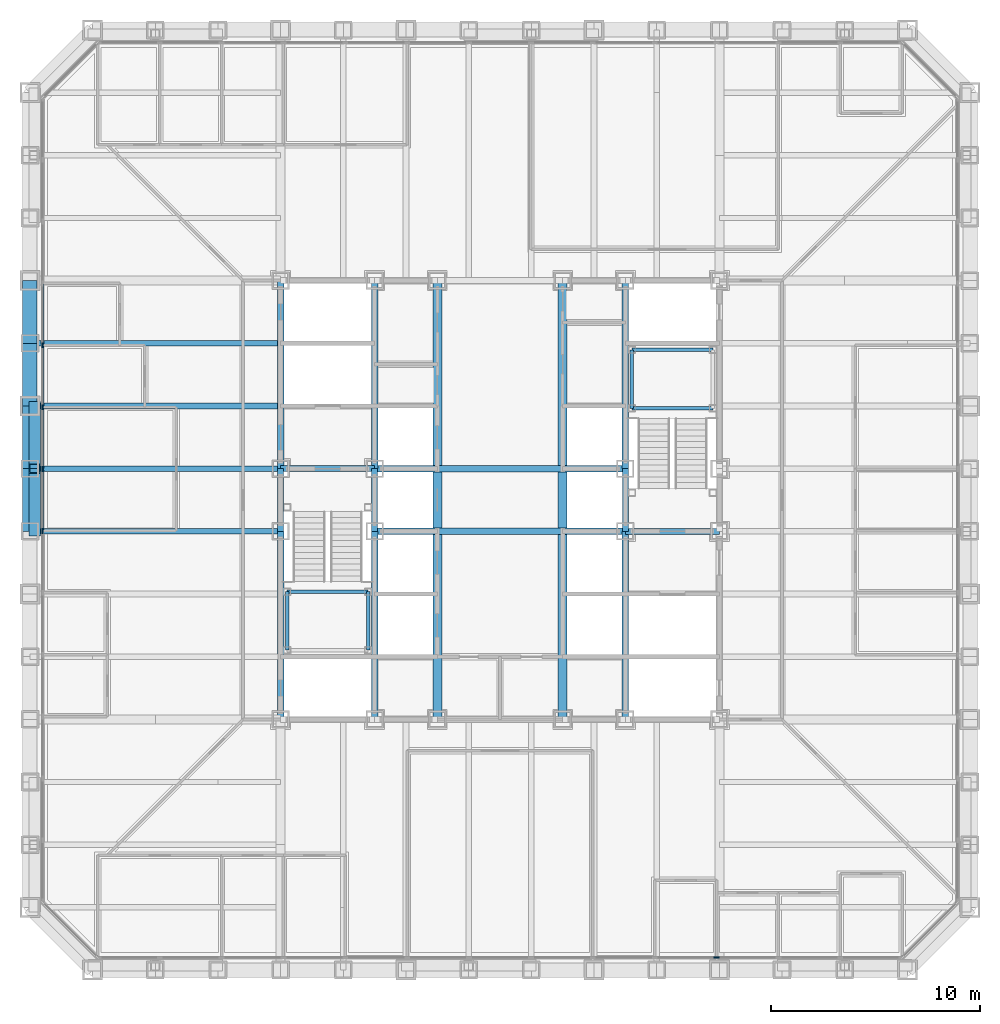
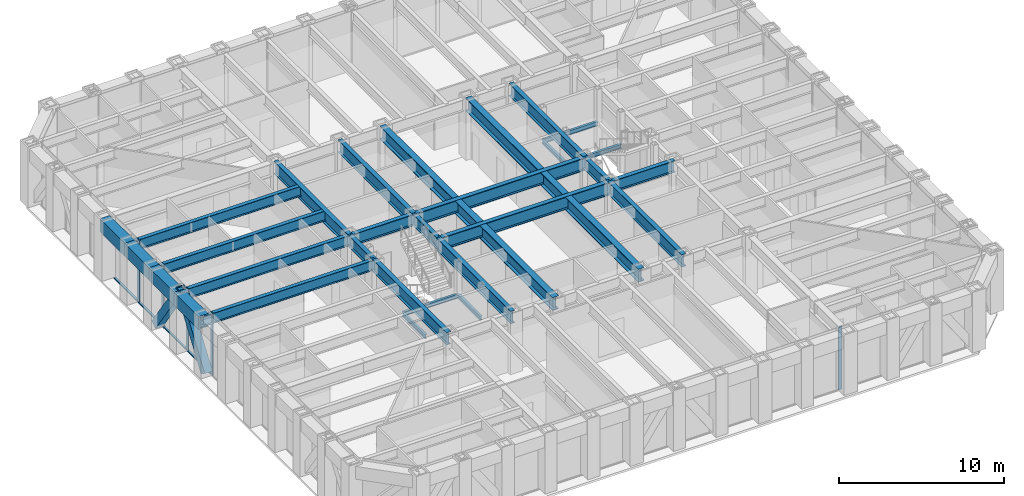
# One storey, part 3 of 17: 33 beams, 11 members, 2 elements without a shape of their own.
"""IFC4 building model written with IfcOpenShell, lengths in metres."""

from ifc_helpers import new_model, si_unit, direction, frame, origin, origin_2d, place, context, subcontext, project, spatial, rectangle, hollow_rectangle, i_section, extrude, material, layer, layer_set, material_profile, profile_set, type_object, element, aggregate, save


model = new_model("IFC4")

# Units and contexts
model_context = context("Model", 3, precision=1e-05, world=origin(), true_north=direction((0.0, 1.0)))
body_context = subcontext(model_context, "Body", "Model", "MODEL_VIEW")
ifc_project = project(units=[si_unit("LENGTHUNIT", "METRE"), si_unit("AREAUNIT", "SQUARE_METRE"), si_unit("VOLUMEUNIT", "CUBIC_METRE"), si_unit("PLANEANGLEUNIT", "RADIAN"), si_unit("MASSUNIT", "GRAM", prefix="KILO")], contexts=[model_context])

# Site, building, storey
site_placement = place(None, origin())
site = spatial("IfcSite", under=ifc_project, at=site_placement, CompositionType="ELEMENT")
building_placement = place(site_placement, origin())
building = spatial("IfcBuilding", under=site, at=building_placement, Name="Chuquiago Exchange Tower", CompositionType="ELEMENT")
storey_placement = place(building_placement, frame((0.0, 0.0, 91.800048828125)))
storey = spatial("IfcBuildingStorey", under=building, at=storey_placement, Name="L19", CompositionType="ELEMENT", Elevation=91.800048828125)

# Beams
ifc_material_1 = material(Name="Steel ASTM A992", Category="steel")
ifc_material_profile_1 = material_profile(ifc_material_1, i_section(OverallWidth=0.307373046875, OverallDepth=0.927001953125, WebThickness=0.01953125, FlangeThickness=0.031982421875, at=origin_2d()), Name="W36X194")
ifc_profile_set_1 = profile_set([ifc_material_profile_1], Name="Steel ASTM A992")
beam_type_1 = type_object("IfcBeamType", Name="B10 W36X194", PredefinedType="BEAM", material=ifc_profile_set_1)
for number, where, z_axis, x_axis, name in (
    (1, (12.0, 12.0, 3.87646484375), (0.0, 1.0, 0.0), (-1.0, 0.0, 0.0), "CB-L20-12_12-12_21"),
    (2, (12.0, 24.0, 3.87646484375), (0.0, 1.0, 0.0), (-1.0, 0.0, 0.0), "CB-L20-12_24-12_33"),
    (3, (16.5, 12.0, 3.87646484375), (0.0, 1.0, 0.0), (-1.0, 0.0, 0.0), "CB-L20-16.5_12-16.5_21"),
    (4, (16.5, 24.0, 3.87646484375), (0.0, 1.0, 0.0), (-1.0, 0.0, 0.0), "CB-L20-16.5_24-16.5_33"),
    (5, (28.5, 12.0, 3.87646484375), (0.0, 1.0, 0.0), (-1.0, 0.0, 0.0), "CB-L20-28.5_12-28.5_21"),
    (6, (28.5, 24.0, 3.87646484375), (0.0, 1.0, 0.0), (-1.0, 0.0, 0.0), "CB-L20-28.5_24-28.5_33"),
):
    element("IfcBeam", number, at=place(storey_placement, frame(where, z_axis=z_axis, x_axis=x_axis)), inside=storey, type_object=beam_type_1, Name=name, PredefinedType="BEAM", context=body_context, shape_type="SweptSolid", body=[
        extrude(i_section(OverallWidth=0.307373046875, OverallDepth=0.927001953125, WebThickness=0.01953125, FlangeThickness=0.031982421875, at=origin_2d()), origin(), (0.0, 0.0, 1.0), 9.0),
    ])
ifc_material_2 = material(Name="Steel ASTM A992", Category="steel")
ifc_material_profile_2 = material_profile(ifc_material_2, i_section(OverallWidth=0.309814453125, OverallDepth=0.949951171875, WebThickness=0.0244140625, FlangeThickness=0.0439453125, at=origin_2d()), Name="W36X256")
ifc_profile_set_2 = profile_set([ifc_material_profile_2], Name="Steel ASTM A992")
beam_type_2 = type_object("IfcBeamType", Name="B11 W36X256", PredefinedType="BEAM", material=ifc_profile_set_2)
for number, where, z_axis, x_axis, name in (
    (7, (16.5, 21.0, 3.864990234375), (1.0, 0.0, 0.0), (0.0, 1.0, 0.0), "CB-L20-16.5_21-28.5_21"),
    (8, (16.5, 24.0, 3.864990234375), (1.0, 0.0, 0.0), (0.0, 1.0, 0.0), "CB-L20-16.5_24-28.5_24"),
):
    element("IfcBeam", number, at=place(storey_placement, frame(where, z_axis=z_axis, x_axis=x_axis)), inside=storey, type_object=beam_type_2, Name=name, PredefinedType="BEAM", context=body_context, shape_type="SweptSolid", body=[
        extrude(i_section(OverallWidth=0.309814453125, OverallDepth=0.949951171875, WebThickness=0.0244140625, FlangeThickness=0.0439453125, at=origin_2d()), origin(), (0.0, 0.0, 1.0), 12.0),
    ])
ifc_material_3 = material(Name="Steel ASTM A992", Category="steel")
ifc_material_profile_3 = material_profile(ifc_material_3, i_section(OverallWidth=0.4267578125, OverallDepth=0.975341796875, WebThickness=0.031005859375, FlangeThickness=0.055908203125, at=origin_2d()), Name="W36X395")
ifc_profile_set_3 = profile_set([ifc_material_profile_3], Name="Steel ASTM A992")
beam_type_3 = type_object("IfcBeamType", Name="B12 W36X395", PredefinedType="BEAM", material=ifc_profile_set_3)
beam_1_placement = place(storey_placement, frame((19.5, 12.0, 3.852294921875), z_axis=(0.0, 1.0, 0.0), x_axis=(-1.0, 0.0, 0.0)))
element("IfcBeam", 9, at=beam_1_placement, inside=storey, type_object=beam_type_3, Name="CB-L20-19.5_12-19.5_20.8451", PredefinedType="BEAM", context=body_context, shape_type="SweptSolid", body=[
    extrude(i_section(OverallWidth=0.4267578125, OverallDepth=0.975341796875, WebThickness=0.031005859375, FlangeThickness=0.055908203125, at=origin_2d()), origin(), (0.0, 0.0, 1.0), 8.84521484375),
])
beam_2_placement = place(storey_placement, frame((19.5, 21.15478515625, 3.852294921875), z_axis=(0.0, 1.0, 0.0), x_axis=(-1.0, 0.0, 0.0)))
element("IfcBeam", 10, at=beam_2_placement, inside=storey, type_object=beam_type_3, Name="CB-L20-19.5_21.1549-19.5_23.8451", PredefinedType="BEAM", context=body_context, shape_type="SweptSolid", body=[
    extrude(i_section(OverallWidth=0.4267578125, OverallDepth=0.975341796875, WebThickness=0.031005859375, FlangeThickness=0.055908203125, at=origin_2d()), origin(), (0.0, 0.0, 1.0), 2.6904296875),
])
for number, where, z_axis, x_axis, name in (
    (11, (19.5, 24.15478515625, 3.852294921875), (0.0, 1.0, 0.0), (-1.0, 0.0, 0.0), "CB-L20-19.5_24.1549-19.5_33"),
    (12, (25.5, 12.0, 3.852294921875), (0.0, 1.0, 0.0), (-1.0, 0.0, 0.0), "CB-L20-25.5_12-25.5_20.8451"),
):
    element("IfcBeam", number, at=place(storey_placement, frame(where, z_axis=z_axis, x_axis=x_axis)), inside=storey, type_object=beam_type_3, Name=name, PredefinedType="BEAM", context=body_context, shape_type="SweptSolid", body=[
        extrude(i_section(OverallWidth=0.4267578125, OverallDepth=0.975341796875, WebThickness=0.031005859375, FlangeThickness=0.055908203125, at=origin_2d()), origin(), (0.0, 0.0, 1.0), 8.84521484375),
    ])
beam_3_placement = place(storey_placement, frame((25.5, 21.15478515625, 3.852294921875), z_axis=(0.0, 1.0, 0.0), x_axis=(-1.0, 0.0, 0.0)))
element("IfcBeam", 13, at=beam_3_placement, inside=storey, type_object=beam_type_3, Name="CB-L20-25.5_21.1549-25.5_23.8451", PredefinedType="BEAM", context=body_context, shape_type="SweptSolid", body=[
    extrude(i_section(OverallWidth=0.4267578125, OverallDepth=0.975341796875, WebThickness=0.031005859375, FlangeThickness=0.055908203125, at=origin_2d()), origin(), (0.0, 0.0, 1.0), 2.6904296875),
])
beam_4_placement = place(storey_placement, frame((25.5, 24.15478515625, 3.852294921875), z_axis=(0.0, 1.0, 0.0), x_axis=(-1.0, 0.0, 0.0)))
element("IfcBeam", 14, at=beam_4_placement, inside=storey, type_object=beam_type_3, Name="CB-L20-25.5_24.1549-25.5_33", PredefinedType="BEAM", context=body_context, shape_type="SweptSolid", body=[
    extrude(i_section(OverallWidth=0.4267578125, OverallDepth=0.975341796875, WebThickness=0.031005859375, FlangeThickness=0.055908203125, at=origin_2d()), origin(), (0.0, 0.0, 1.0), 8.84521484375),
])
ifc_material_4 = material(Name="Steel ASTM A992", Category="steel")
ifc_material_profile_4 = material_profile(ifc_material_4, i_section(OverallWidth=0.2919921875, OverallDepth=0.8583984375, WebThickness=0.01708984375, FlangeThickness=0.031005859375, at=origin_2d()), Name="W33X169")
ifc_profile_set_4 = profile_set([ifc_material_profile_4], Name="Steel ASTM A992")
beam_type_4 = type_object("IfcBeamType", Name="B3 W33X169", PredefinedType="BEAM", material=ifc_profile_set_4)
for number, where, z_axis, x_axis, name in (
    (15, (12.0, 21.0, 3.91064453125), (0.0, 1.0, 0.0), (-1.0, 0.0, 0.0), "CB-L20-12_21-12_24"),
    (16, (16.5, 21.0, 3.91064453125), (0.0, 1.0, 0.0), (-1.0, 0.0, 0.0), "CB-L20-16.5_21-16.5_24"),
    (17, (28.5, 21.0, 3.91064453125), (0.0, 1.0, 0.0), (-1.0, 0.0, 0.0), "CB-L20-28.5_21-28.5_24"),
):
    element("IfcBeam", number, at=place(storey_placement, frame(where, z_axis=z_axis, x_axis=x_axis)), inside=storey, type_object=beam_type_4, Name=name, PredefinedType="BEAM", context=body_context, shape_type="SweptSolid", body=[
        extrude(i_section(OverallWidth=0.2919921875, OverallDepth=0.8583984375, WebThickness=0.01708984375, FlangeThickness=0.031005859375, at=origin_2d()), origin(), (0.0, 0.0, 1.0), 3.0),
    ])
for number, where, z_axis, x_axis, name in (
    (18, (28.5, 21.0, 3.91064453125), (1.0, 0.0, 0.0), (0.0, 1.0, 0.0), "CB-L20-28.5_21-33_21"),
    (19, (12.0, 24.0, 3.91064453125), (1.0, 0.0, 0.0), (0.0, 1.0, 0.0), "CB-L20-12_24-16.5_24"),
):
    element("IfcBeam", number, at=place(storey_placement, frame(where, z_axis=z_axis, x_axis=x_axis)), inside=storey, type_object=beam_type_4, Name=name, PredefinedType="BEAM", context=body_context, shape_type="SweptSolid", body=[
        extrude(i_section(OverallWidth=0.2919921875, OverallDepth=0.8583984375, WebThickness=0.01708984375, FlangeThickness=0.031005859375, at=origin_2d()), origin(), (0.0, 0.0, 1.0), 4.5),
    ])
ifc_material_5 = material(Name="Steel ASTM A992", Category="steel")
ifc_material_profile_5 = material_profile(ifc_material_5, i_section(OverallWidth=0.2666015625, OverallDepth=0.761962890625, WebThickness=0.014404296875, FlangeThickness=0.021484375, at=origin_2d()), Name="W30X116")
ifc_profile_set_5 = profile_set([ifc_material_profile_5], Name="Steel ASTM A992")
beam_type_5 = type_object("IfcBeamType", Name="B8 W30X116", PredefinedType="BEAM", material=ifc_profile_set_5)
for number, where, z_axis, x_axis, name in (
    (20, (12.0, 21.0, 3.958984375), (-1.0, 0.0, 0.0), (0.0, -1.0, 0.0), "FB-L20-infill-12_21--0_21-0"),
    (21, (12.0, 24.0, 3.958984375), (-1.0, 0.0, 0.0), (0.0, -1.0, 0.0), "FB-L20-infill-12_24--0_24-0"),
    (22, (12.0, 27.0, 3.958984375), (-1.0, 0.0, 0.0), (0.0, -1.0, 0.0), "FB-L20-infill-12_27--0_27-0"),
    (23, (12.0, 30.0, 3.958984375), (-1.0, 0.0, 0.0), (0.0, -1.0, 0.0), "FB-L20-infill-12_30--0_30-0"),
):
    element("IfcBeam", number, at=place(storey_placement, frame(where, z_axis=z_axis, x_axis=x_axis)), inside=storey, type_object=beam_type_5, Name=name, PredefinedType="BEAM", context=body_context, shape_type="SweptSolid", body=[
        extrude(i_section(OverallWidth=0.2666015625, OverallDepth=0.761962890625, WebThickness=0.014404296875, FlangeThickness=0.021484375, at=origin_2d()), origin(), (0.0, 0.0, 1.0), 12.0),
    ])

# Curtain wall, member
ifc_material_6 = material(Name="Aluminium curtain wall system", Category="aluminium")
ifc_layer = layer(ifc_material_6, 0.25)
ifc_layer_set = layer_set([ifc_layer], Name="CW1 trading floor curtain wall")
curtain_wall_type = type_object("IfcCurtainWallType", Name="CW1 trading floor curtain wall", PredefinedType="NOTDEFINED", material=ifc_layer_set)
curtain_wall_1_placement = place(storey_placement, origin())
curtain_wall_1 = element("IfcCurtainWall", 24, at=curtain_wall_1_placement, inside=storey, type_object=curtain_wall_type, Name="CW1 curtain wall L19", PredefinedType="NOTDEFINED")
ifc_material_7 = material(Name="Aluminium mullion, pale anodised", Category="aluminium")
ifc_material_profile_6 = material_profile(ifc_material_7, rectangle(XDim=0.074951171875, YDim=0.25, at=origin_2d()), Name="AL 75x250")
ifc_profile_set_6 = profile_set([ifc_material_profile_6], Name="Aluminium mullion, pale anodised")
member_type_1 = type_object("IfcMemberType", Name="CW1-M mullion 75x250", PredefinedType="MULLION", material=ifc_profile_set_6)
member_1_placement = place(storey_placement, frame((32.8662109375, 0.60009765625, -0.300048828125), z_axis=(0.0, 0.0, 1.0), x_axis=(0.0, 1.0, 0.0)))
member_1 = element("IfcMember", 25, at=member_1_placement, type_object=member_type_1, Name="CW1 mullion 11", PredefinedType="MULLION", context=body_context, shape_type="SweptSolid", body=[
    extrude(rectangle(XDim=0.074951171875, YDim=0.25, at=origin_2d()), origin(), (0.0, 0.0, 1.0), 4.639892578125),
])
aggregate(curtain_wall_1, [member_1])

# Curtain wall, members
curtain_wall_2_placement = place(storey_placement, origin())
curtain_wall_2 = element("IfcCurtainWall", 26, at=curtain_wall_2_placement, inside=storey, type_object=curtain_wall_type, Name="CW1 curtain wall L19", PredefinedType="NOTDEFINED")
member_2_placement = place(storey_placement, frame((0.60009765625, 29.904541015625, -0.300048828125), z_axis=(0.0, 0.0, 1.0), x_axis=(1.0, 0.0, 0.0)))
member_2 = element("IfcMember", 27, at=member_2_placement, type_object=member_type_1, Name="CW1 mullion 5", PredefinedType="MULLION", context=body_context, shape_type="SweptSolid", body=[
    extrude(rectangle(XDim=0.074951171875, YDim=0.25, at=origin_2d()), origin(), (0.0, 0.0, 1.0), 4.639892578125),
])
member_3_placement = place(storey_placement, frame((0.60009765625, 26.942626953125, -0.300048828125), z_axis=(0.0, 0.0, 1.0), x_axis=(1.0, 0.0, 0.0)))
member_3 = element("IfcMember", 28, at=member_3_placement, type_object=member_type_1, Name="CW1 mullion 6", PredefinedType="MULLION", context=body_context, shape_type="SweptSolid", body=[
    extrude(rectangle(XDim=0.074951171875, YDim=0.25, at=origin_2d()), origin(), (0.0, 0.0, 1.0), 4.639892578125),
])
member_4_placement = place(storey_placement, frame((0.60009765625, 23.98095703125, -0.300048828125), z_axis=(0.0, 0.0, 1.0), x_axis=(1.0, 0.0, 0.0)))
member_4 = element("IfcMember", 29, at=member_4_placement, type_object=member_type_1, Name="CW1 mullion 7", PredefinedType="MULLION", context=body_context, shape_type="SweptSolid", body=[
    extrude(rectangle(XDim=0.074951171875, YDim=0.25, at=origin_2d()), origin(), (0.0, 0.0, 1.0), 4.639892578125),
])
member_5_placement = place(storey_placement, frame((0.60009765625, 21.01904296875, -0.300048828125), z_axis=(0.0, 0.0, 1.0), x_axis=(1.0, 0.0, 0.0)))
member_5 = element("IfcMember", 30, at=member_5_placement, type_object=member_type_1, Name="CW1 mullion 8", PredefinedType="MULLION", context=body_context, shape_type="SweptSolid", body=[
    extrude(rectangle(XDim=0.074951171875, YDim=0.25, at=origin_2d()), origin(), (0.0, 0.0, 1.0), 4.639892578125),
])
ifc_material_8 = material(Name="Aluminium transom, pale anodised", Category="aluminium")
ifc_material_profile_7 = material_profile(ifc_material_8, rectangle(XDim=0.14990234375, YDim=0.074951171875, at=origin_2d()), Name="AL 150x75")
ifc_profile_set_7 = profile_set([ifc_material_profile_7], Name="Aluminium transom, pale anodised")
member_type_2 = type_object("IfcMemberType", Name="CW1-T transom 75x150", PredefinedType="MULLION", material=ifc_profile_set_7)
member_6_placement = place(storey_placement, frame((0.60009765625, 32.82861328125, -0.262451171875), z_axis=(0.0, -1.0, 0.0), x_axis=(1.0, 0.0, 0.0)))
member_6 = element("IfcMember", 31, at=member_6_placement, type_object=member_type_2, Name="CW1 transom 4.1", PredefinedType="MULLION", context=body_context, shape_type="SweptSolid", body=[
    extrude(rectangle(XDim=0.14990234375, YDim=0.074951171875, at=origin_2d()), origin(), (0.0, 0.0, 1.0), 2.88671875),
])
member_7_placement = place(storey_placement, frame((0.60009765625, 29.866943359375, -0.262451171875), z_axis=(0.0, -1.0, 0.0), x_axis=(1.0, 0.0, 0.0)))
member_7 = element("IfcMember", 32, at=member_7_placement, type_object=member_type_2, Name="CW1 transom 5.1", PredefinedType="MULLION", context=body_context, shape_type="SweptSolid", body=[
    extrude(rectangle(XDim=0.14990234375, YDim=0.074951171875, at=origin_2d()), origin(), (0.0, 0.0, 1.0), 2.88671875),
])
member_8_placement = place(storey_placement, frame((0.60009765625, 26.9052734375, -0.262451171875), z_axis=(0.0, -1.0, 0.0), x_axis=(1.0, 0.0, 0.0)))
member_8 = element("IfcMember", 33, at=member_8_placement, type_object=member_type_2, Name="CW1 transom 6.1", PredefinedType="MULLION", context=body_context, shape_type="SweptSolid", body=[
    extrude(rectangle(XDim=0.14990234375, YDim=0.074951171875, at=origin_2d()), origin(), (0.0, 0.0, 1.0), 2.886962890625),
])
member_9_placement = place(storey_placement, frame((0.60009765625, 23.943359375, -0.262451171875), z_axis=(0.0, -1.0, 0.0), x_axis=(1.0, 0.0, 0.0)))
member_9 = element("IfcMember", 34, at=member_9_placement, type_object=member_type_2, Name="CW1 transom 7.1", PredefinedType="MULLION", context=body_context, shape_type="SweptSolid", body=[
    extrude(rectangle(XDim=0.14990234375, YDim=0.074951171875, at=origin_2d()), origin(), (0.0, 0.0, 1.0), 2.88671875),
])
aggregate(curtain_wall_2, [member_2, member_3, member_4, member_5, member_6, member_7, member_8, member_9])

# Beams
ifc_material_9 = material(Name="Steel ASTM A992", Category="steel")
ifc_material_profile_8 = material_profile(ifc_material_9, i_section(OverallWidth=0.164794921875, OverallDepth=0.309814453125, WebThickness=0.005859375, FlangeThickness=0.009765625, at=origin_2d()), Name="W12X26")
ifc_profile_set_8 = profile_set([ifc_material_profile_8], Name="Steel ASTM A992")
beam_type_6 = type_object("IfcBeamType", Name="LS1 W12X26", PredefinedType="BEAM", material=ifc_profile_set_8)
for number, where, z_axis, x_axis, name in (
    (35, (12.31005859375, 15.31005859375, 1.89501953125), (0.0, 1.0, 0.0), (-1.0, 0.0, 0.0), "Stair ST1 L19 landing 1 stringer"),
    (36, (16.18994140625, 15.31005859375, 1.89501953125), (0.0, 1.0, 0.0), (-1.0, 0.0, 0.0), "Stair ST1 L19 landing 1 stringer"),
    (37, (28.81005859375, 26.889892578125, 1.89501953125), (0.0, 1.0, 0.0), (-1.0, 0.0, 0.0), "Stair ST2 L19 landing 1 stringer"),
):
    element("IfcBeam", number, at=place(storey_placement, frame(where, z_axis=z_axis, x_axis=x_axis)), inside=storey, type_object=beam_type_6, Name=name, PredefinedType="BEAM", context=body_context, shape_type="SweptSolid", body=[
        extrude(i_section(OverallWidth=0.164794921875, OverallDepth=0.309814453125, WebThickness=0.005859375, FlangeThickness=0.009765625, at=origin_2d()), origin(), (0.0, 0.0, 1.0), 2.800048828125),
    ])
ifc_material_10 = material(Name="Steel ASTM A992", Category="steel")
ifc_material_profile_9 = material_profile(ifc_material_10, i_section(OverallWidth=0.164794921875, OverallDepth=0.309814453125, WebThickness=0.005859375, FlangeThickness=0.009765625, at=origin_2d()), Name="W12X26")
ifc_profile_set_9 = profile_set([ifc_material_profile_9], Name="Steel ASTM A992")
beam_type_7 = type_object("IfcBeamType", Name="LT1 W12X26", PredefinedType="BEAM", material=ifc_profile_set_9)
for number, where, z_axis, x_axis, name in (
    (38, (12.31005859375, 18.110107421875, 1.89501953125), (1.0, 0.0, 0.0), (0.0, 1.0, 0.0), "Stair ST1 L19 landing 1 trimmer"),
    (39, (28.81005859375, 29.68994140625, 1.89501953125), (1.0, 0.0, 0.0), (0.0, 1.0, 0.0), "Stair ST2 L19 landing 1 trimmer"),
    (40, (28.81005859375, 26.889892578125, 1.89501953125), (1.0, 0.0, 0.0), (0.0, 1.0, 0.0), "Stair ST2 L19 landing 1 trimmer"),
):
    element("IfcBeam", number, at=place(storey_placement, frame(where, z_axis=z_axis, x_axis=x_axis)), inside=storey, type_object=beam_type_7, Name=name, PredefinedType="BEAM", context=body_context, shape_type="SweptSolid", body=[
        extrude(i_section(OverallWidth=0.164794921875, OverallDepth=0.309814453125, WebThickness=0.005859375, FlangeThickness=0.009765625, at=origin_2d()), origin(), (0.0, 0.0, 1.0), 3.8798828125),
    ])

# Members
ifc_material_11 = material(Name="Steel ASTM A572 Grade 50", Category="steel")
ifc_material_profile_10 = material_profile(ifc_material_11, hollow_rectangle(XDim=0.550048828125, YDim=0.550048828125, WallThickness=0.044921875, at=origin_2d()), Name="BOX550X550X45")
ifc_profile_set_10 = profile_set([ifc_material_profile_10], Name="Steel ASTM A572 Grade 50")
member_type_3 = type_object("IfcMemberType", Name="MB1 BOX550X550X45", PredefinedType="BRACE", material=ifc_profile_set_10)
for number, where, z_axis, x_axis, name in (
    (41, (0.22998046875, 27.0, 0.0), (0.0, -0.56863232121, 0.822591808417), (1.0, 0.0, 0.0), "Mega diagonal L19 W face"),
    (42, (0.22998046875, 21.0, 0.0), (0.0, 0.56863232121, 0.822591808417), (-1.0, 0.0, 0.0), "Mega diagonal L19 W face"),
):
    element("IfcMember", number, at=place(storey_placement, frame(where, z_axis=z_axis, x_axis=x_axis)), inside=storey, type_object=member_type_3, Name=name, PredefinedType="BRACE", context=body_context, shape_type="SweptSolid", body=[
        extrude(hollow_rectangle(XDim=0.550048828125, YDim=0.550048828125, WallThickness=0.044921875, at=origin_2d()), origin(), (0.0, 0.0, 1.0), 5.27587890625),
    ])

# Beams
ifc_material_12 = material(Name="Steel ASTM A572 Grade 50", Category="steel")
ifc_material_profile_11 = material_profile(ifc_material_12, hollow_rectangle(XDim=0.699951171875, YDim=0.949951171875, WallThickness=0.10009765625, at=origin_2d()), Name="BOX950X700X100")
ifc_profile_set_11 = profile_set([ifc_material_profile_11], Name="Steel ASTM A572 Grade 50")
beam_type_8 = type_object("IfcBeamType", Name="SP5 BOX950X700X100", PredefinedType="SPANDREL", material=ifc_profile_set_11)
for number, where, z_axis, x_axis, name in (
    (43, (0.0, 33.0, 3.864990234375), (0.0, -1.0, 0.0), (1.0, 0.0, 0.0), "SPB-L20-0_33-0_30"),
    (44, (0.0, 30.0, 3.864990234375), (0.0, -1.0, 0.0), (1.0, 0.0, 0.0), "SPB-L20-0_30-0_27"),
    (45, (0.0, 27.0, 3.864990234375), (0.0, -1.0, 0.0), (1.0, 0.0, 0.0), "SPB-L20-0_27-0_24"),
    (46, (0.0, 24.0, 3.864990234375), (0.0, -1.0, 0.0), (1.0, 0.0, 0.0), "SPB-L20-0_24-0_21"),
):
    element("IfcBeam", number, at=place(storey_placement, frame(where, z_axis=z_axis, x_axis=x_axis)), inside=storey, type_object=beam_type_8, Name=name, PredefinedType="SPANDREL", context=body_context, shape_type="SweptSolid", body=[
        extrude(hollow_rectangle(XDim=0.699951171875, YDim=0.949951171875, WallThickness=0.10009765625, at=origin_2d()), origin(), (0.0, 0.0, 1.0), 3.0),
    ])

save(model, "model.ifc")
